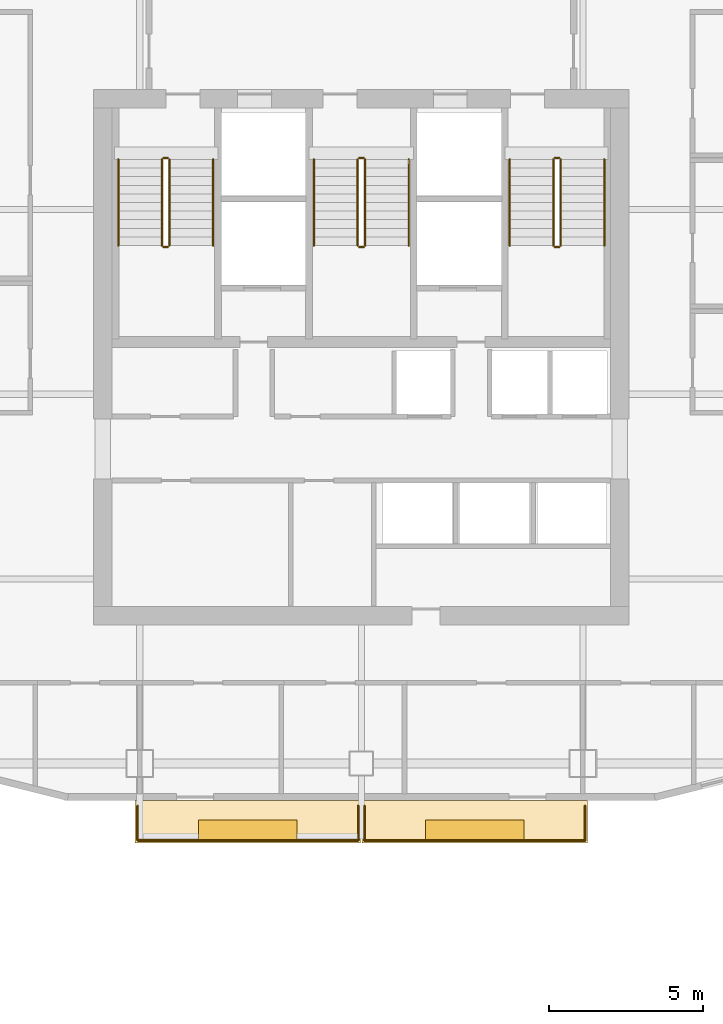
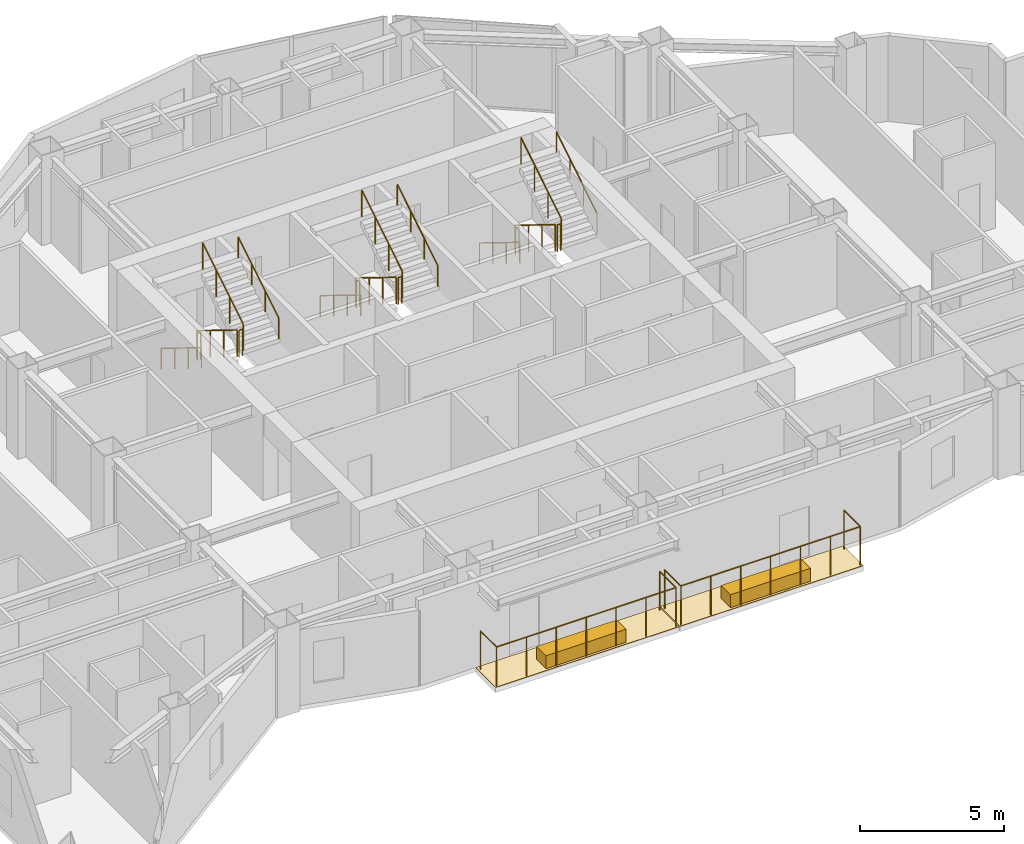
# One storey, part 11 of 11: 22 railings, 4 coverings.
"""IFC4 building model written with IfcOpenShell, lengths in metres."""

from ifc_helpers import new_model, si_unit, direction, frame, origin, origin_2d, place, context, subcontext, project, spatial, polyline, rectangle, circle, outline, extrude, material, layer, layer_set, type_object, element, save


model = new_model("IFC4")

# Units and contexts
model_context = context("Model", 3, precision=1e-05, world=origin(), true_north=direction((0.0, 1.0)))
body_context = subcontext(model_context, "Body", "Model", "MODEL_VIEW")
ifc_project = project(units=[si_unit("LENGTHUNIT", "METRE"), si_unit("AREAUNIT", "SQUARE_METRE"), si_unit("VOLUMEUNIT", "CUBIC_METRE"), si_unit("PLANEANGLEUNIT", "RADIAN"), si_unit("MASSUNIT", "GRAM", prefix="KILO")], contexts=[model_context])

# Site, building, storey
site_placement = place(None, origin())
site = spatial("IfcSite", under=ifc_project, at=site_placement, CompositionType="ELEMENT")
building_placement = place(site_placement, origin())
building = spatial("IfcBuilding", under=site, at=building_placement, Name="Haolan Belvedere Tower", CompositionType="ELEMENT")
storey_placement = place(building_placement, frame((0.0, 0.0, 191.800048828125)))
storey = spatial("IfcBuildingStorey", under=building, at=storey_placement, Name="L48", CompositionType="ELEMENT", Elevation=191.800048828125)

# Coverings
ifc_material_1 = material(Name="Engineered lightweight planted garden soil substrate", Category="masonry")
ifc_layer_1 = layer(ifc_material_1, 0.550048828125, Name="Engineered lightweight planted garden soil substrate")
ifc_layer_set_1 = layer_set([ifc_layer_1], Name="Engineered lightweight planted garden soil substrate")
covering_type_1 = type_object("IfcCoveringType", Name="COV-PLANT-550", PredefinedType="MEMBRANE", material=ifc_layer_set_1)
for number, where, z_axis, x_axis, name in (
    (1, (34.715087890625, 19.43994140625, 0.0), (0.0, 0.0, 1.0), (1.0, 0.0, 0.0), "L48 structural tree balcony PLANTER box 1"),
    (2, (42.0849609375, 19.43994140625, 0.0), (0.0, 0.0, 1.0), (1.0, 0.0, 0.0), "L48 structural tree balcony PLANTER box 2"),
):
    element("IfcCovering", number, at=place(storey_placement, frame(where, z_axis=z_axis, x_axis=x_axis)), inside=storey, type_object=covering_type_1, Name=name, PredefinedType="MEMBRANE", context=body_context, shape_type="SweptSolid", body=[
        extrude(rectangle(XDim=3.199951171875, YDim=0.64990234375, at=origin_2d()), origin(), (0.0, 0.0, 1.0), 0.550048828125),
    ])
ifc_material_2 = material(Name="Elastomeric waterproof roofing membrane and stone pavers", Category="masonry")
ifc_layer_2 = layer(ifc_material_2, 0.02001953125, Name="Elastomeric waterproof roofing membrane and stone pavers")
ifc_layer_set_2 = layer_set([ifc_layer_2], Name="Elastomeric waterproof roofing membrane and stone pavers")
covering_type_2 = type_object("IfcCoveringType", Name="COV-ROOF-20", PredefinedType="ROOFING", material=ifc_layer_set_2)
covering_1_placement = place(storey_placement, frame((0.0, 0.0, -0.02001953125)))
element("IfcCovering", 3, at=covering_1_placement, inside=storey, type_object=covering_type_2, Name="L48 tree-balcony waterproof membrane 1", PredefinedType="ROOFING", context=body_context, shape_type="SweptSolid", body=[
    extrude(outline(polyline([(31.050048828125, 19.02001953125), (38.3798828125, 19.02001953125), (38.3798828125, 20.39990234375), (31.050048828125, 20.39990234375), (31.050048828125, 19.02001953125)])), origin(), (0.0, 0.0, 1.0), 0.02001953125),
])
covering_2_placement = place(storey_placement, frame((0.0, 0.0, -0.02001953125)))
element("IfcCovering", 4, at=covering_2_placement, inside=storey, type_object=covering_type_2, Name="L48 tree-balcony waterproof membrane 2", PredefinedType="ROOFING", context=body_context, shape_type="SweptSolid", body=[
    extrude(outline(polyline([(38.419921875, 19.02001953125), (45.75, 19.02001953125), (45.75, 20.39990234375), (38.419921875, 20.39990234375), (38.419921875, 19.02001953125)])), origin(), (0.0, 0.0, 1.0), 0.02001953125),
])

# Railings
ifc_material_3 = material(Name="Brushed stainless steel 304", Category="steel")
railing_type_1 = type_object("IfcRailingType", Name="RL-STAIR-GRD-1150", PredefinedType="GUARDRAIL", material=ifc_material_3)
railing_1_placement = place(storey_placement, frame((31.919921875, 41.22998046875, 0.172607421875)))
element("IfcRailing", 5, at=railing_1_placement, inside=storey, type_object=railing_type_1, Name="L48 ST1 stair guard 1", PredefinedType="GUARDRAIL", context=body_context, shape_type="SweptSolid", body=[
    extrude(circle(Radius=0.02392578125, at=origin_2d()), frame((0.0, 0.0, 1.1259765625), z_axis=(0.0, -0.851089632645, 0.525020415988), x_axis=(1.0, 0.0, 0.0)), (0.0, 0.0, 1.0), 3.2900390625),
    extrude(circle(Radius=0.02099609375, at=origin_2d()), origin(), (0.0, 0.0, 1.0), 1.101806640625),
    extrude(circle(Radius=0.02099609375, at=origin_2d()), frame((0.0, -0.933349609375, 0.57568359375)), (0.0, 0.0, 1.0), 1.101806640625),
    extrude(circle(Radius=0.02099609375, at=origin_2d()), frame((0.0, -1.86669921875, 1.151611328125)), (0.0, 0.0, 1.0), 1.101806640625),
    extrude(circle(Radius=0.02099609375, at=origin_2d()), frame((0.0, -2.800048828125, 1.727294921875)), (0.0, 0.0, 1.0), 1.101806640625),
])
railing_2_placement = place(storey_placement, frame((31.969970703125, 38.3798828125, 1.89990234375)))
element("IfcRailing", 6, at=railing_2_placement, inside=storey, type_object=railing_type_1, Name="L48 ST1 stair guard 2", PredefinedType="GUARDRAIL", context=body_context, shape_type="SweptSolid", body=[
    extrude(circle(Radius=0.02392578125, at=origin_2d()), frame((0.0, 0.0, 1.1259765625), z_axis=(1.0, 0.0, 0.0), x_axis=(0.0, 1.0, 0.0)), (0.0, 0.0, 1.0), 0.14013671875),
    extrude(circle(Radius=0.02099609375, at=origin_2d()), origin(), (0.0, 0.0, 1.0), 1.101806640625),
    extrude(circle(Radius=0.02099609375, at=origin_2d()), frame((0.14013671875, 0.0, 0.0)), (0.0, 0.0, 1.0), 1.101806640625),
])
railing_3_placement = place(storey_placement, frame((32.159912109375, 38.429931640625, 2.07275390625)))
element("IfcRailing", 7, at=railing_3_placement, inside=storey, type_object=railing_type_1, Name="L48 ST1 stair guard 3", PredefinedType="GUARDRAIL", context=body_context, shape_type="SweptSolid", body=[
    extrude(circle(Radius=0.02392578125, at=origin_2d()), frame((0.0, 0.0, 1.1259765625), z_axis=(0.0, 0.851089632645, 0.525020415988), x_axis=(-1.0, 0.0, 0.0)), (0.0, 0.0, 1.0), 3.2900390625),
    extrude(circle(Radius=0.02099609375, at=origin_2d()), origin(), (0.0, 0.0, 1.0), 1.101806640625),
    extrude(circle(Radius=0.02099609375, at=origin_2d()), frame((0.0, 0.933349609375, 0.57568359375)), (0.0, 0.0, 1.0), 1.101806640625),
    extrude(circle(Radius=0.02099609375, at=origin_2d()), frame((0.0, 1.86669921875, 1.151611328125)), (0.0, 0.0, 1.0), 1.101806640625),
    extrude(circle(Radius=0.02099609375, at=origin_2d()), frame((0.0, 2.800048828125, 1.727294921875)), (0.0, 0.0, 1.0), 1.101806640625),
])
railing_4_placement = place(storey_placement, frame((31.969970703125, 41.280029296875, 0.0)))
element("IfcRailing", 8, at=railing_4_placement, inside=storey, type_object=railing_type_1, Name="L48 ST1 stair guard 4", PredefinedType="GUARDRAIL", context=body_context, shape_type="SweptSolid", body=[
    extrude(circle(Radius=0.02392578125, at=origin_2d()), frame((0.0, 0.0, 1.1259765625), z_axis=(1.0, 0.0, 0.0), x_axis=(0.0, 1.0, 0.0)), (0.0, 0.0, 1.0), 0.14013671875),
    extrude(circle(Radius=0.02099609375, at=origin_2d()), origin(), (0.0, 0.0, 1.0), 1.101806640625),
    extrude(circle(Radius=0.02099609375, at=origin_2d()), frame((0.14013671875, 0.0, 0.0)), (0.0, 0.0, 1.0), 1.101806640625),
])
railing_5_placement = place(storey_placement, frame((38.280029296875, 41.22998046875, 0.172607421875)))
element("IfcRailing", 9, at=railing_5_placement, inside=storey, type_object=railing_type_1, Name="L48 ST3 stair guard 1", PredefinedType="GUARDRAIL", context=body_context, shape_type="SweptSolid", body=[
    extrude(circle(Radius=0.02392578125, at=origin_2d()), frame((0.0, 0.0, 1.1259765625), z_axis=(0.0, -0.851089632645, 0.525020415988), x_axis=(1.0, 0.0, 0.0)), (0.0, 0.0, 1.0), 3.2900390625),
    extrude(circle(Radius=0.02099609375, at=origin_2d()), origin(), (0.0, 0.0, 1.0), 1.101806640625),
    extrude(circle(Radius=0.02099609375, at=origin_2d()), frame((0.0, -0.933349609375, 0.57568359375)), (0.0, 0.0, 1.0), 1.101806640625),
    extrude(circle(Radius=0.02099609375, at=origin_2d()), frame((0.0, -1.86669921875, 1.151611328125)), (0.0, 0.0, 1.0), 1.101806640625),
    extrude(circle(Radius=0.02099609375, at=origin_2d()), frame((0.0, -2.800048828125, 1.727294921875)), (0.0, 0.0, 1.0), 1.101806640625),
])
railing_6_placement = place(storey_placement, frame((38.330078125, 38.3798828125, 1.89990234375)))
element("IfcRailing", 10, at=railing_6_placement, inside=storey, type_object=railing_type_1, Name="L48 ST3 stair guard 2", PredefinedType="GUARDRAIL", context=body_context, shape_type="SweptSolid", body=[
    extrude(circle(Radius=0.02392578125, at=origin_2d()), frame((0.0, 0.0, 1.1259765625), z_axis=(1.0, 0.0, 0.0), x_axis=(0.0, 1.0, 0.0)), (0.0, 0.0, 1.0), 0.139892578125),
    extrude(circle(Radius=0.02099609375, at=origin_2d()), origin(), (0.0, 0.0, 1.0), 1.101806640625),
    extrude(circle(Radius=0.02099609375, at=origin_2d()), frame((0.139892578125, 0.0, 0.0)), (0.0, 0.0, 1.0), 1.101806640625),
])
railing_7_placement = place(storey_placement, frame((38.52001953125, 38.429931640625, 2.07275390625)))
element("IfcRailing", 11, at=railing_7_placement, inside=storey, type_object=railing_type_1, Name="L48 ST3 stair guard 3", PredefinedType="GUARDRAIL", context=body_context, shape_type="SweptSolid", body=[
    extrude(circle(Radius=0.02392578125, at=origin_2d()), frame((0.0, 0.0, 1.1259765625), z_axis=(0.0, 0.851089632645, 0.525020415988), x_axis=(-1.0, 0.0, 0.0)), (0.0, 0.0, 1.0), 3.2900390625),
    extrude(circle(Radius=0.02099609375, at=origin_2d()), origin(), (0.0, 0.0, 1.0), 1.101806640625),
    extrude(circle(Radius=0.02099609375, at=origin_2d()), frame((0.0, 0.933349609375, 0.57568359375)), (0.0, 0.0, 1.0), 1.101806640625),
    extrude(circle(Radius=0.02099609375, at=origin_2d()), frame((0.0, 1.86669921875, 1.151611328125)), (0.0, 0.0, 1.0), 1.101806640625),
    extrude(circle(Radius=0.02099609375, at=origin_2d()), frame((0.0, 2.800048828125, 1.727294921875)), (0.0, 0.0, 1.0), 1.101806640625),
])
railing_8_placement = place(storey_placement, frame((38.330078125, 41.280029296875, 0.0)))
element("IfcRailing", 12, at=railing_8_placement, inside=storey, type_object=railing_type_1, Name="L48 ST3 stair guard 4", PredefinedType="GUARDRAIL", context=body_context, shape_type="SweptSolid", body=[
    extrude(circle(Radius=0.02392578125, at=origin_2d()), frame((0.0, 0.0, 1.1259765625), z_axis=(1.0, 0.0, 0.0), x_axis=(0.0, 1.0, 0.0)), (0.0, 0.0, 1.0), 0.139892578125),
    extrude(circle(Radius=0.02099609375, at=origin_2d()), origin(), (0.0, 0.0, 1.0), 1.101806640625),
    extrude(circle(Radius=0.02099609375, at=origin_2d()), frame((0.139892578125, 0.0, 0.0)), (0.0, 0.0, 1.0), 1.101806640625),
])
railing_9_placement = place(storey_placement, frame((44.639892578125, 41.22998046875, 0.172607421875)))
element("IfcRailing", 13, at=railing_9_placement, inside=storey, type_object=railing_type_1, Name="L48 ST2 stair guard 1", PredefinedType="GUARDRAIL", context=body_context, shape_type="SweptSolid", body=[
    extrude(circle(Radius=0.02392578125, at=origin_2d()), frame((0.0, 0.0, 1.1259765625), z_axis=(0.0, -0.851089632645, 0.525020415988), x_axis=(1.0, 0.0, 0.0)), (0.0, 0.0, 1.0), 3.2900390625),
    extrude(circle(Radius=0.02099609375, at=origin_2d()), origin(), (0.0, 0.0, 1.0), 1.101806640625),
    extrude(circle(Radius=0.02099609375, at=origin_2d()), frame((0.0, -0.933349609375, 0.57568359375)), (0.0, 0.0, 1.0), 1.101806640625),
    extrude(circle(Radius=0.02099609375, at=origin_2d()), frame((0.0, -1.86669921875, 1.151611328125)), (0.0, 0.0, 1.0), 1.101806640625),
    extrude(circle(Radius=0.02099609375, at=origin_2d()), frame((0.0, -2.800048828125, 1.727294921875)), (0.0, 0.0, 1.0), 1.101806640625),
])
railing_10_placement = place(storey_placement, frame((44.68994140625, 38.3798828125, 1.89990234375)))
element("IfcRailing", 14, at=railing_10_placement, inside=storey, type_object=railing_type_1, Name="L48 ST2 stair guard 2", PredefinedType="GUARDRAIL", context=body_context, shape_type="SweptSolid", body=[
    extrude(circle(Radius=0.02392578125, at=origin_2d()), frame((0.0, 0.0, 1.1259765625), z_axis=(1.0, 0.0, 0.0), x_axis=(0.0, 1.0, 0.0)), (0.0, 0.0, 1.0), 0.14013671875),
    extrude(circle(Radius=0.02099609375, at=origin_2d()), origin(), (0.0, 0.0, 1.0), 1.101806640625),
    extrude(circle(Radius=0.02099609375, at=origin_2d()), frame((0.14013671875, 0.0, 0.0)), (0.0, 0.0, 1.0), 1.101806640625),
])
railing_11_placement = place(storey_placement, frame((44.8798828125, 38.429931640625, 2.07275390625)))
element("IfcRailing", 15, at=railing_11_placement, inside=storey, type_object=railing_type_1, Name="L48 ST2 stair guard 3", PredefinedType="GUARDRAIL", context=body_context, shape_type="SweptSolid", body=[
    extrude(circle(Radius=0.02392578125, at=origin_2d()), frame((0.0, 0.0, 1.1259765625), z_axis=(0.0, 0.851089632645, 0.525020415988), x_axis=(-1.0, 0.0, 0.0)), (0.0, 0.0, 1.0), 3.2900390625),
    extrude(circle(Radius=0.02099609375, at=origin_2d()), origin(), (0.0, 0.0, 1.0), 1.101806640625),
    extrude(circle(Radius=0.02099609375, at=origin_2d()), frame((0.0, 0.933349609375, 0.57568359375)), (0.0, 0.0, 1.0), 1.101806640625),
    extrude(circle(Radius=0.02099609375, at=origin_2d()), frame((0.0, 1.86669921875, 1.151611328125)), (0.0, 0.0, 1.0), 1.101806640625),
    extrude(circle(Radius=0.02099609375, at=origin_2d()), frame((0.0, 2.800048828125, 1.727294921875)), (0.0, 0.0, 1.0), 1.101806640625),
])
railing_12_placement = place(storey_placement, frame((44.68994140625, 41.280029296875, 0.0)))
element("IfcRailing", 16, at=railing_12_placement, inside=storey, type_object=railing_type_1, Name="L48 ST2 stair guard 4", PredefinedType="GUARDRAIL", context=body_context, shape_type="SweptSolid", body=[
    extrude(circle(Radius=0.02392578125, at=origin_2d()), frame((0.0, 0.0, 1.1259765625), z_axis=(1.0, 0.0, 0.0), x_axis=(0.0, 1.0, 0.0)), (0.0, 0.0, 1.0), 0.14013671875),
    extrude(circle(Radius=0.02099609375, at=origin_2d()), origin(), (0.0, 0.0, 1.0), 1.101806640625),
    extrude(circle(Radius=0.02099609375, at=origin_2d()), frame((0.14013671875, 0.0, 0.0)), (0.0, 0.0, 1.0), 1.101806640625),
])
railing_type_2 = type_object("IfcRailingType", Name="RL-STAIR-HND-900", PredefinedType="HANDRAIL", material=ifc_material_3)
railing_13_placement = place(storey_placement, frame((30.5, 41.22998046875, 0.172607421875)))
element("IfcRailing", 17, at=railing_13_placement, inside=storey, type_object=railing_type_2, Name="L48 ST1 stair handrail 1", PredefinedType="HANDRAIL", context=body_context, shape_type="SweptSolid", body=[
    extrude(circle(Radius=0.02392578125, at=origin_2d()), frame((0.0, 0.0, 0.8759765625), z_axis=(0.0, -0.851089632645, 0.525020415988), x_axis=(1.0, 0.0, 0.0)), (0.0, 0.0, 1.0), 3.2900390625),
    extrude(circle(Radius=0.02099609375, at=origin_2d()), origin(), (0.0, 0.0, 1.0), 0.851806640625),
    extrude(circle(Radius=0.02099609375, at=origin_2d()), frame((0.0, -0.933349609375, 0.57568359375)), (0.0, 0.0, 1.0), 0.851806640625),
    extrude(circle(Radius=0.02099609375, at=origin_2d()), frame((0.0, -1.86669921875, 1.151611328125)), (0.0, 0.0, 1.0), 0.851806640625),
    extrude(circle(Radius=0.02099609375, at=origin_2d()), frame((0.0, -2.800048828125, 1.727294921875)), (0.0, 0.0, 1.0), 0.851806640625),
])
railing_14_placement = place(storey_placement, frame((33.580078125, 38.429931640625, 2.07275390625)))
element("IfcRailing", 18, at=railing_14_placement, inside=storey, type_object=railing_type_2, Name="L48 ST1 stair handrail 2", PredefinedType="HANDRAIL", context=body_context, shape_type="SweptSolid", body=[
    extrude(circle(Radius=0.02392578125, at=origin_2d()), frame((0.0, 0.0, 0.8759765625), z_axis=(0.0, 0.851089632645, 0.525020415988), x_axis=(-1.0, 0.0, 0.0)), (0.0, 0.0, 1.0), 3.2900390625),
    extrude(circle(Radius=0.02099609375, at=origin_2d()), origin(), (0.0, 0.0, 1.0), 0.851806640625),
    extrude(circle(Radius=0.02099609375, at=origin_2d()), frame((0.0, 0.933349609375, 0.57568359375)), (0.0, 0.0, 1.0), 0.851806640625),
    extrude(circle(Radius=0.02099609375, at=origin_2d()), frame((0.0, 1.86669921875, 1.151611328125)), (0.0, 0.0, 1.0), 0.851806640625),
    extrude(circle(Radius=0.02099609375, at=origin_2d()), frame((0.0, 2.800048828125, 1.727294921875)), (0.0, 0.0, 1.0), 0.851806640625),
])
railing_15_placement = place(storey_placement, frame((36.860107421875, 41.22998046875, 0.172607421875)))
element("IfcRailing", 19, at=railing_15_placement, inside=storey, type_object=railing_type_2, Name="L48 ST3 stair handrail 1", PredefinedType="HANDRAIL", context=body_context, shape_type="SweptSolid", body=[
    extrude(circle(Radius=0.02392578125, at=origin_2d()), frame((0.0, 0.0, 0.8759765625), z_axis=(0.0, -0.851089632645, 0.525020415988), x_axis=(1.0, 0.0, 0.0)), (0.0, 0.0, 1.0), 3.2900390625),
    extrude(circle(Radius=0.02099609375, at=origin_2d()), origin(), (0.0, 0.0, 1.0), 0.851806640625),
    extrude(circle(Radius=0.02099609375, at=origin_2d()), frame((0.0, -0.933349609375, 0.57568359375)), (0.0, 0.0, 1.0), 0.851806640625),
    extrude(circle(Radius=0.02099609375, at=origin_2d()), frame((0.0, -1.86669921875, 1.151611328125)), (0.0, 0.0, 1.0), 0.851806640625),
    extrude(circle(Radius=0.02099609375, at=origin_2d()), frame((0.0, -2.800048828125, 1.727294921875)), (0.0, 0.0, 1.0), 0.851806640625),
])
railing_16_placement = place(storey_placement, frame((39.93994140625, 38.429931640625, 2.07275390625)))
element("IfcRailing", 20, at=railing_16_placement, inside=storey, type_object=railing_type_2, Name="L48 ST3 stair handrail 2", PredefinedType="HANDRAIL", context=body_context, shape_type="SweptSolid", body=[
    extrude(circle(Radius=0.02392578125, at=origin_2d()), frame((0.0, 0.0, 0.8759765625), z_axis=(0.0, 0.851089632645, 0.525020415988), x_axis=(-1.0, 0.0, 0.0)), (0.0, 0.0, 1.0), 3.2900390625),
    extrude(circle(Radius=0.02099609375, at=origin_2d()), origin(), (0.0, 0.0, 1.0), 0.851806640625),
    extrude(circle(Radius=0.02099609375, at=origin_2d()), frame((0.0, 0.933349609375, 0.57568359375)), (0.0, 0.0, 1.0), 0.851806640625),
    extrude(circle(Radius=0.02099609375, at=origin_2d()), frame((0.0, 1.86669921875, 1.151611328125)), (0.0, 0.0, 1.0), 0.851806640625),
    extrude(circle(Radius=0.02099609375, at=origin_2d()), frame((0.0, 2.800048828125, 1.727294921875)), (0.0, 0.0, 1.0), 0.851806640625),
])
railing_17_placement = place(storey_placement, frame((43.219970703125, 41.22998046875, 0.172607421875)))
element("IfcRailing", 21, at=railing_17_placement, inside=storey, type_object=railing_type_2, Name="L48 ST2 stair handrail 1", PredefinedType="HANDRAIL", context=body_context, shape_type="SweptSolid", body=[
    extrude(circle(Radius=0.02392578125, at=origin_2d()), frame((0.0, 0.0, 0.8759765625), z_axis=(0.0, -0.851089632645, 0.525020415988), x_axis=(1.0, 0.0, 0.0)), (0.0, 0.0, 1.0), 3.2900390625),
    extrude(circle(Radius=0.02099609375, at=origin_2d()), origin(), (0.0, 0.0, 1.0), 0.851806640625),
    extrude(circle(Radius=0.02099609375, at=origin_2d()), frame((0.0, -0.933349609375, 0.57568359375)), (0.0, 0.0, 1.0), 0.851806640625),
    extrude(circle(Radius=0.02099609375, at=origin_2d()), frame((0.0, -1.86669921875, 1.151611328125)), (0.0, 0.0, 1.0), 0.851806640625),
    extrude(circle(Radius=0.02099609375, at=origin_2d()), frame((0.0, -2.800048828125, 1.727294921875)), (0.0, 0.0, 1.0), 0.851806640625),
])
railing_18_placement = place(storey_placement, frame((46.300048828125, 38.429931640625, 2.07275390625)))
element("IfcRailing", 22, at=railing_18_placement, inside=storey, type_object=railing_type_2, Name="L48 ST2 stair handrail 2", PredefinedType="HANDRAIL", context=body_context, shape_type="SweptSolid", body=[
    extrude(circle(Radius=0.02392578125, at=origin_2d()), frame((0.0, 0.0, 0.8759765625), z_axis=(0.0, 0.851089632645, 0.525020415988), x_axis=(-1.0, 0.0, 0.0)), (0.0, 0.0, 1.0), 3.2900390625),
    extrude(circle(Radius=0.02099609375, at=origin_2d()), origin(), (0.0, 0.0, 1.0), 0.851806640625),
    extrude(circle(Radius=0.02099609375, at=origin_2d()), frame((0.0, 0.933349609375, 0.57568359375)), (0.0, 0.0, 1.0), 0.851806640625),
    extrude(circle(Radius=0.02099609375, at=origin_2d()), frame((0.0, 1.86669921875, 1.151611328125)), (0.0, 0.0, 1.0), 0.851806640625),
    extrude(circle(Radius=0.02099609375, at=origin_2d()), frame((0.0, 2.800048828125, 1.727294921875)), (0.0, 0.0, 1.0), 0.851806640625),
])
ifc_material_4 = material(Name="Anodised aluminium and laminated glass balustrade", Category="aluminium")
railing_type_3 = type_object("IfcRailingType", Name="RL-TER-BAL-1150", PredefinedType="BALUSTRADE", material=ifc_material_4)
railing_19_placement = place(storey_placement, frame((31.1298828125, 19.10009765625, 0.0)))
element("IfcRailing", 23, at=railing_19_placement, inside=storey, type_object=railing_type_3, Name="L48 outdoor perimeter balustrade BAL-L48-1-1", PredefinedType="BALUSTRADE", context=body_context, shape_type="SweptSolid", body=[
    extrude(circle(Radius=0.02392578125, at=origin_2d()), frame((0.0, 0.0, 1.6259765625), z_axis=(0.0, 1.0, 0.0), x_axis=(-1.0, 0.0, 0.0)), (0.0, 0.0, 1.0), 1.119873046875),
    extrude(circle(Radius=0.02099609375, at=origin_2d()), origin(), (0.0, 0.0, 1.0), 1.601806640625),
    extrude(circle(Radius=0.02099609375, at=origin_2d()), frame((0.0, 1.119873046875, 0.0)), (0.0, 0.0, 1.0), 1.601806640625),
])
railing_20_placement = place(storey_placement, frame((38.300048828125, 20.219970703125, 0.0)))
element("IfcRailing", 24, at=railing_20_placement, inside=storey, type_object=railing_type_3, Name="L48 outdoor perimeter balustrade BAL-L48-1-2", PredefinedType="BALUSTRADE", context=body_context, shape_type="SweptSolid", body=[
    extrude(circle(Radius=0.02392578125, at=origin_2d()), frame((0.0, 0.0, 1.6259765625), z_axis=(0.0, -1.0, 0.0), x_axis=(1.0, 0.0, 0.0)), (0.0, 0.0, 1.0), 1.119873046875),
    extrude(circle(Radius=0.02392578125, at=origin_2d()), frame((0.0, -1.119873046875, 1.6259765625), z_axis=(-1.0, 0.0, 0.0), x_axis=(0.0, -1.0, 0.0)), (0.0, 0.0, 1.0), 7.170166015625),
    extrude(circle(Radius=0.02099609375, at=origin_2d()), origin(), (0.0, 0.0, 1.0), 1.601806640625),
    extrude(circle(Radius=0.02099609375, at=origin_2d()), frame((0.0, -1.119873046875, 0.0)), (0.0, 0.0, 1.0), 1.601806640625),
    extrude(circle(Radius=0.02099609375, at=origin_2d()), frame((-1.195068359375, -1.119873046875, 0.0)), (0.0, 0.0, 1.0), 1.601806640625),
    extrude(circle(Radius=0.02099609375, at=origin_2d()), frame((-2.39013671875, -1.119873046875, 0.0)), (0.0, 0.0, 1.0), 1.601806640625),
    extrude(circle(Radius=0.02099609375, at=origin_2d()), frame((-3.5849609375, -1.119873046875, 0.0)), (0.0, 0.0, 1.0), 1.601806640625),
    extrude(circle(Radius=0.02099609375, at=origin_2d()), frame((-4.780029296875, -1.119873046875, 0.0)), (0.0, 0.0, 1.0), 1.601806640625),
    extrude(circle(Radius=0.02099609375, at=origin_2d()), frame((-5.97509765625, -1.119873046875, 0.0)), (0.0, 0.0, 1.0), 1.601806640625),
    extrude(circle(Radius=0.02099609375, at=origin_2d()), frame((-7.170166015625, -1.119873046875, 0.0)), (0.0, 0.0, 1.0), 1.601806640625),
])
railing_21_placement = place(storey_placement, frame((38.5, 19.10009765625, 0.0)))
element("IfcRailing", 25, at=railing_21_placement, inside=storey, type_object=railing_type_3, Name="L48 outdoor perimeter balustrade BAL-L48-2-1", PredefinedType="BALUSTRADE", context=body_context, shape_type="SweptSolid", body=[
    extrude(circle(Radius=0.02392578125, at=origin_2d()), frame((0.0, 0.0, 1.6259765625), z_axis=(0.0, 1.0, 0.0), x_axis=(-1.0, 0.0, 0.0)), (0.0, 0.0, 1.0), 1.119873046875),
    extrude(circle(Radius=0.02099609375, at=origin_2d()), origin(), (0.0, 0.0, 1.0), 1.601806640625),
    extrude(circle(Radius=0.02099609375, at=origin_2d()), frame((0.0, 1.119873046875, 0.0)), (0.0, 0.0, 1.0), 1.601806640625),
])
railing_22_placement = place(storey_placement, frame((45.669921875, 20.219970703125, 0.0)))
element("IfcRailing", 26, at=railing_22_placement, inside=storey, type_object=railing_type_3, Name="L48 outdoor perimeter balustrade BAL-L48-2-2", PredefinedType="BALUSTRADE", context=body_context, shape_type="SweptSolid", body=[
    extrude(circle(Radius=0.02392578125, at=origin_2d()), frame((0.0, 0.0, 1.6259765625), z_axis=(0.0, -1.0, 0.0), x_axis=(1.0, 0.0, 0.0)), (0.0, 0.0, 1.0), 1.119873046875),
    extrude(circle(Radius=0.02392578125, at=origin_2d()), frame((0.0, -1.119873046875, 1.6259765625), z_axis=(-1.0, 0.0, 0.0), x_axis=(0.0, -1.0, 0.0)), (0.0, 0.0, 1.0), 7.169921875),
    extrude(circle(Radius=0.02099609375, at=origin_2d()), origin(), (0.0, 0.0, 1.0), 1.601806640625),
    extrude(circle(Radius=0.02099609375, at=origin_2d()), frame((0.0, -1.119873046875, 0.0)), (0.0, 0.0, 1.0), 1.601806640625),
    extrude(circle(Radius=0.02099609375, at=origin_2d()), frame((-1.195068359375, -1.119873046875, 0.0)), (0.0, 0.0, 1.0), 1.601806640625),
    extrude(circle(Radius=0.02099609375, at=origin_2d()), frame((-2.389892578125, -1.119873046875, 0.0)), (0.0, 0.0, 1.0), 1.601806640625),
    extrude(circle(Radius=0.02099609375, at=origin_2d()), frame((-3.5849609375, -1.119873046875, 0.0)), (0.0, 0.0, 1.0), 1.601806640625),
    extrude(circle(Radius=0.02099609375, at=origin_2d()), frame((-4.780029296875, -1.119873046875, 0.0)), (0.0, 0.0, 1.0), 1.601806640625),
    extrude(circle(Radius=0.02099609375, at=origin_2d()), frame((-5.974853515625, -1.119873046875, 0.0)), (0.0, 0.0, 1.0), 1.601806640625),
    extrude(circle(Radius=0.02099609375, at=origin_2d()), frame((-7.169921875, -1.119873046875, 0.0)), (0.0, 0.0, 1.0), 1.601806640625),
])

save(model, "model.ifc")
